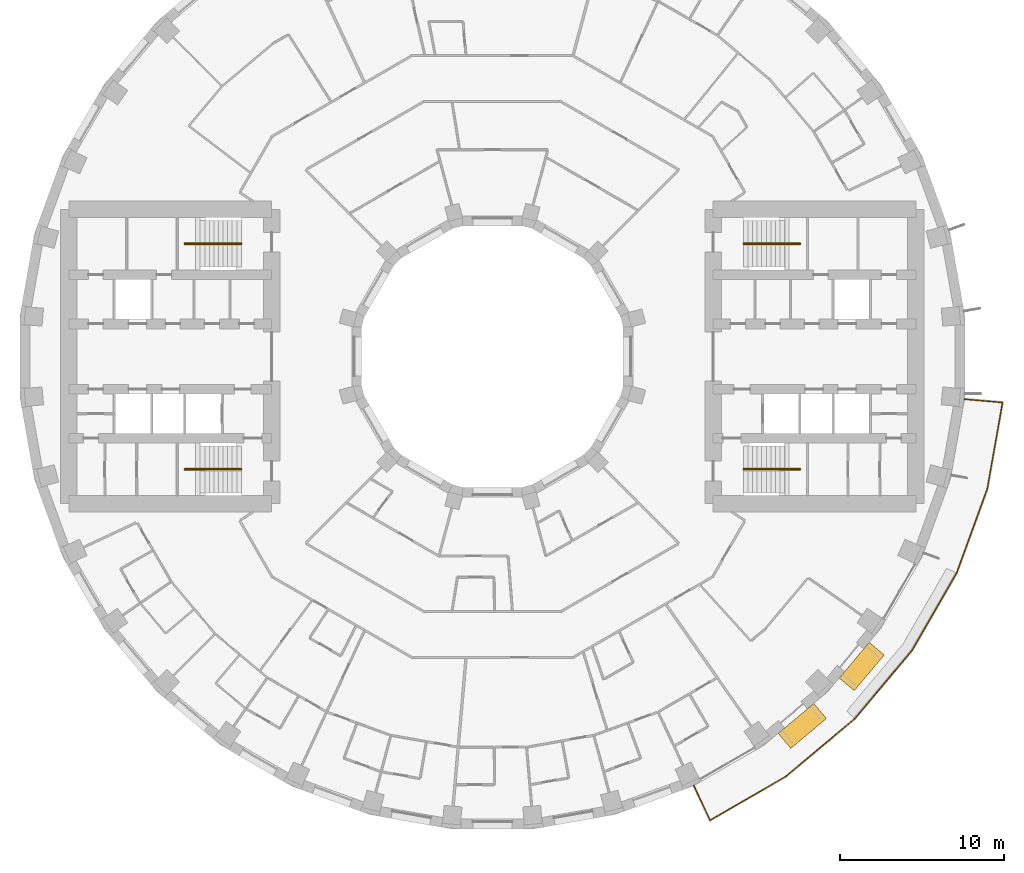
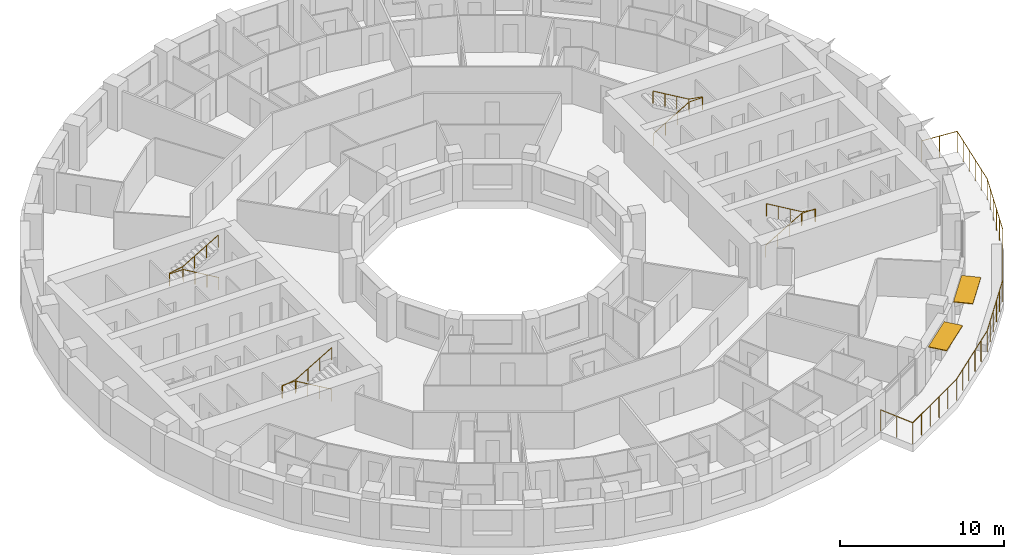
# One storey, part 15 of 15: 5 railings, 2 shading devices.
"""IFC4 building model written with IfcOpenShell, lengths in metres."""

from ifc_helpers import new_model, si_unit, direction, frame, origin, origin_2d, place, context, subcontext, project, spatial, rectangle, circle, extrude, material, layer, layer_set, type_object, element, save


model = new_model("IFC4")

# Units and contexts
model_context = context("Model", 3, precision=1e-05, world=origin(), true_north=direction((0.0, 1.0)))
body_context = subcontext(model_context, "Body", "Model", "MODEL_VIEW")
ifc_project = project(units=[si_unit("LENGTHUNIT", "METRE"), si_unit("AREAUNIT", "SQUARE_METRE"), si_unit("VOLUMEUNIT", "CUBIC_METRE"), si_unit("PLANEANGLEUNIT", "RADIAN"), si_unit("MASSUNIT", "GRAM", prefix="KILO")], contexts=[model_context])

# Site, building, storey
site_placement = place(None, origin())
site = spatial("IfcSite", under=ifc_project, at=site_placement, CompositionType="ELEMENT")
building_placement = place(site_placement, origin())
building = spatial("IfcBuilding", under=site, at=building_placement, Name="Saqina Gate Tower", CompositionType="ELEMENT")
storey_placement = place(building_placement, frame((0.0, 0.0, 42.800048828125)))
storey = spatial("IfcBuildingStorey", under=building, at=storey_placement, Name="L11", CompositionType="ELEMENT", Elevation=42.800048828125)

# Shading devices
ifc_material_1 = material(Name="Aluminium and fabric awning", Category="aluminium")
ifc_layer = layer(ifc_material_1, 0.050048828125)
ifc_layer_set = layer_set([ifc_layer], Name="AW-TERRACE")
shading_device_type = type_object("IfcShadingDeviceType", Name="AW-TERRACE", PredefinedType="AWNING", material=ifc_layer_set)
for number, where, z_axis, x_axis, name in (
    (1, (18.95556640625, -22.59033203125, 2.52490234375), (0.0, 0.0, 1.0), (0.766044443119, 0.642787609687, 0.0), "Terrace awning L11 facet 31"),
    (2, (22.59033203125, -18.95556640625, 2.52490234375), (0.0, 0.0, 1.0), (0.642787609687, 0.766044443119, 0.0), "Terrace awning L11 facet 32"),
):
    element("IfcShadingDevice", number, at=place(storey_placement, frame(where, z_axis=z_axis, x_axis=x_axis)), inside=storey, type_object=shading_device_type, Name=name, PredefinedType="AWNING", context=body_context, shape_type="SweptSolid", body=[
        extrude(rectangle(XDim=2.845703125, YDim=1.199951171875, at=origin_2d()), origin(), (0.0, 0.0, 1.0), 0.050048828125),
    ])

# Railings
ifc_material_2 = material(Name="Stainless steel", Category="steel")
railing_type_1 = type_object("IfcRailingType", Name="RL-TERRACE", PredefinedType="GUARDRAIL", material=ifc_material_2)
railing_1_placement = place(storey_placement, frame((12.302978515625, -26.194580078125, 0.0)))
element("IfcRailing", 3, at=railing_1_placement, inside=storey, type_object=railing_type_1, Name="Terrace guard L11", PredefinedType="GUARDRAIL", context=body_context, shape_type="SweptSolid", body=[
    extrude(circle(Radius=0.02392578125, at=origin_2d()), frame((0.0, 0.0, 1.576171875), z_axis=(0.422644901044, -0.906295364449, 0.0), x_axis=(0.906295364449, 0.422644901044, 0.0)), (0.0, 0.0, 1.0), 2.38916015625),
    extrude(circle(Radius=0.02392578125, at=origin_2d()), frame((1.009765625, -2.165283203125, 1.576171875), z_axis=(0.8653641556, 0.50114357045, 0.0), x_axis=(-0.50114357045, 0.8653641556, 0.0)), (0.0, 0.0, 1.0), 5.38134765625),
    extrude(circle(Radius=0.02392578125, at=origin_2d()), frame((5.66650390625, 0.531494140625, 1.576171875), z_axis=(0.766043830705, 0.642788339532, 0.0), x_axis=(-0.642788339532, 0.766043830705, 0.0)), (0.0, 0.0, 1.0), 5.4609375),
    extrude(circle(Radius=0.02392578125, at=origin_2d()), frame((9.849853515625, 4.041748046875, 1.576171875), z_axis=(0.642788339532, 0.766043830705, 0.0), x_axis=(-0.766043830705, 0.642788339532, 0.0)), (0.0, 0.0, 1.0), 5.4609375),
    extrude(circle(Radius=0.02392578125, at=origin_2d()), frame((13.360107421875, 8.22509765625, 1.576171875), z_axis=(0.499985602051, 0.866033716285, 0.0), x_axis=(-0.866033716285, 0.499985602051, 0.0)), (0.0, 0.0, 1.0), 5.461181640625),
    extrude(circle(Radius=0.02392578125, at=origin_2d()), frame((16.090576171875, 12.95458984375, 1.576171875), z_axis=(0.342048157644, 0.939682423935, 0.0), x_axis=(-0.939682423935, 0.342048157644, 0.0)), (0.0, 0.0, 1.0), 5.4609375),
    extrude(circle(Radius=0.02392578125, at=origin_2d()), frame((17.95849609375, 18.086181640625, 1.576171875), z_axis=(0.174903346333, 0.98458560798, 0.0), x_axis=(-0.98458560798, 0.174903346333, 0.0)), (0.0, 0.0, 1.0), 5.381103515625),
    extrude(circle(Radius=0.02392578125, at=origin_2d()), frame((18.899658203125, 23.38427734375, 1.576171875), z_axis=(-0.996192497087, 0.087180896688, 0.0), x_axis=(-0.087180896688, -0.996192497087, 0.0)), (0.0, 0.0, 1.0), 2.388671875),
    extrude(circle(Radius=0.02099609375, at=origin_2d()), origin(), (0.0, 0.0, 1.0), 1.552001953125),
    extrude(circle(Radius=0.02099609375, at=origin_2d()), frame((0.5048828125, -1.08251953125, 0.0)), (0.0, 0.0, 1.0), 1.552001953125),
    extrude(circle(Radius=0.02099609375, at=origin_2d()), frame((1.009765625, -2.165283203125, 0.0)), (0.0, 0.0, 1.0), 1.552001953125),
    extrude(circle(Radius=0.02099609375, at=origin_2d()), frame((1.941162109375, -1.6259765625, 0.0)), (0.0, 0.0, 1.0), 1.552001953125),
    extrude(circle(Radius=0.02099609375, at=origin_2d()), frame((2.87255859375, -1.086669921875, 0.0)), (0.0, 0.0, 1.0), 1.552001953125),
    extrude(circle(Radius=0.02099609375, at=origin_2d()), frame((3.8037109375, -0.547119140625, 0.0)), (0.0, 0.0, 1.0), 1.552001953125),
    extrude(circle(Radius=0.02099609375, at=origin_2d()), frame((4.735107421875, -0.0078125, 0.0)), (0.0, 0.0, 1.0), 1.552001953125),
    extrude(circle(Radius=0.02099609375, at=origin_2d()), frame((5.66650390625, 0.531494140625, 0.0)), (0.0, 0.0, 1.0), 1.552001953125),
    extrude(circle(Radius=0.02099609375, at=origin_2d()), frame((6.503173828125, 1.233642578125, 0.0)), (0.0, 0.0, 1.0), 1.552001953125),
    extrude(circle(Radius=0.02099609375, at=origin_2d()), frame((7.33984375, 1.935546875, 0.0)), (0.0, 0.0, 1.0), 1.552001953125),
    extrude(circle(Radius=0.02099609375, at=origin_2d()), frame((8.176513671875, 2.6376953125, 0.0)), (0.0, 0.0, 1.0), 1.552001953125),
    extrude(circle(Radius=0.02099609375, at=origin_2d()), frame((9.01318359375, 3.339599609375, 0.0)), (0.0, 0.0, 1.0), 1.552001953125),
    extrude(circle(Radius=0.02099609375, at=origin_2d()), frame((9.849853515625, 4.041748046875, 0.0)), (0.0, 0.0, 1.0), 1.552001953125),
    extrude(circle(Radius=0.02099609375, at=origin_2d()), frame((10.552001953125, 4.87841796875, 0.0)), (0.0, 0.0, 1.0), 1.552001953125),
    extrude(circle(Radius=0.02099609375, at=origin_2d()), frame((11.25390625, 5.715087890625, 0.0)), (0.0, 0.0, 1.0), 1.552001953125),
    extrude(circle(Radius=0.02099609375, at=origin_2d()), frame((11.9560546875, 6.5517578125, 0.0)), (0.0, 0.0, 1.0), 1.552001953125),
    extrude(circle(Radius=0.02099609375, at=origin_2d()), frame((12.657958984375, 7.388427734375, 0.0)), (0.0, 0.0, 1.0), 1.552001953125),
    extrude(circle(Radius=0.02099609375, at=origin_2d()), frame((13.360107421875, 8.22509765625, 0.0)), (0.0, 0.0, 1.0), 1.552001953125),
    extrude(circle(Radius=0.02099609375, at=origin_2d()), frame((13.90625, 9.1708984375, 0.0)), (0.0, 0.0, 1.0), 1.552001953125),
    extrude(circle(Radius=0.02099609375, at=origin_2d()), frame((14.452392578125, 10.116943359375, 0.0)), (0.0, 0.0, 1.0), 1.552001953125),
    extrude(circle(Radius=0.02099609375, at=origin_2d()), frame((14.998291015625, 11.062744140625, 0.0)), (0.0, 0.0, 1.0), 1.552001953125),
    extrude(circle(Radius=0.02099609375, at=origin_2d()), frame((15.54443359375, 12.0087890625, 0.0)), (0.0, 0.0, 1.0), 1.552001953125),
    extrude(circle(Radius=0.02099609375, at=origin_2d()), frame((16.090576171875, 12.95458984375, 0.0)), (0.0, 0.0, 1.0), 1.552001953125),
    extrude(circle(Radius=0.02099609375, at=origin_2d()), frame((16.464111328125, 13.98095703125, 0.0)), (0.0, 0.0, 1.0), 1.552001953125),
    extrude(circle(Radius=0.02099609375, at=origin_2d()), frame((16.837646484375, 15.00732421875, 0.0)), (0.0, 0.0, 1.0), 1.552001953125),
    extrude(circle(Radius=0.02099609375, at=origin_2d()), frame((17.21142578125, 16.033447265625, 0.0)), (0.0, 0.0, 1.0), 1.552001953125),
    extrude(circle(Radius=0.02099609375, at=origin_2d()), frame((17.5849609375, 17.059814453125, 0.0)), (0.0, 0.0, 1.0), 1.552001953125),
    extrude(circle(Radius=0.02099609375, at=origin_2d()), frame((17.95849609375, 18.086181640625, 0.0)), (0.0, 0.0, 1.0), 1.552001953125),
    extrude(circle(Radius=0.02099609375, at=origin_2d()), frame((18.146728515625, 19.145751953125, 0.0)), (0.0, 0.0, 1.0), 1.552001953125),
    extrude(circle(Radius=0.02099609375, at=origin_2d()), frame((18.3349609375, 20.205322265625, 0.0)), (0.0, 0.0, 1.0), 1.552001953125),
    extrude(circle(Radius=0.02099609375, at=origin_2d()), frame((18.523193359375, 21.26513671875, 0.0)), (0.0, 0.0, 1.0), 1.552001953125),
    extrude(circle(Radius=0.02099609375, at=origin_2d()), frame((18.71142578125, 22.32470703125, 0.0)), (0.0, 0.0, 1.0), 1.552001953125),
    extrude(circle(Radius=0.02099609375, at=origin_2d()), frame((18.899658203125, 23.38427734375, 0.0)), (0.0, 0.0, 1.0), 1.552001953125),
    extrude(circle(Radius=0.02099609375, at=origin_2d()), frame((17.7099609375, 23.48828125, 0.0)), (0.0, 0.0, 1.0), 1.552001953125),
    extrude(circle(Radius=0.02099609375, at=origin_2d()), frame((16.52001953125, 23.592529296875, 0.0)), (0.0, 0.0, 1.0), 1.552001953125),
])
ifc_material_3 = material(Name="Stainless steel", Category="steel")
railing_type_2 = type_object("IfcRailingType", Name="STAIR HANDRAIL", PredefinedType="HANDRAIL", material=ifc_material_3)
railing_2_placement = place(storey_placement, frame((15.35009765625, 6.86669921875, 0.1650390625)))
element("IfcRailing", 4, at=railing_2_placement, inside=storey, type_object=railing_type_2, Name="EXIT STAIR 1 HANDRAIL", PredefinedType="HANDRAIL", context=body_context, shape_type="SweptSolid", body=[
    extrude(circle(Radius=0.02392578125, at=origin_2d()), frame((0.0, 0.0, 0.92578125), z_axis=(0.861560626758, 0.0, 0.507654692109), x_axis=(0.0, 1.0, 0.0)), (0.0, 0.0, 1.0), 2.925048828125),
    extrude(circle(Radius=0.02392578125, at=origin_2d()), frame((2.52001953125, 0.0, 2.41064453125), z_axis=(1.0, 0.0, 0.0), x_axis=(0.0, 1.0, 0.0)), (0.0, 0.0, 1.0), 0.949951171875),
    extrude(circle(Radius=0.02392578125, at=origin_2d()), frame((3.469970703125, 0.0, 2.41064453125), z_axis=(0.0, 1.0, 0.0), x_axis=(-1.0, 0.0, 0.0)), (0.0, 0.0, 1.0), 0.066650390625),
    extrude(circle(Radius=0.02392578125, at=origin_2d()), frame((3.469970703125, 0.066650390625, 2.41064453125), z_axis=(-0.985241474778, 0.0, 0.171170197109), x_axis=(0.0, -1.0, 0.0)), (0.0, 0.0, 1.0), 0.964111328125),
    extrude(circle(Radius=0.02392578125, at=origin_2d()), frame((2.52001953125, 0.066650390625, 2.57568359375), z_axis=(-0.86152411907, 0.0, 0.507716645641), x_axis=(0.0, -1.0, 0.0)), (0.0, 0.0, 1.0), 2.925048828125),
    extrude(circle(Radius=0.02099609375, at=origin_2d()), origin(), (0.0, 0.0, 1.0), 0.90185546875),
    extrude(circle(Radius=0.02099609375, at=origin_2d()), frame((0.840087890625, 0.0, 0.494873046875)), (0.0, 0.0, 1.0), 0.90185546875),
    extrude(circle(Radius=0.02099609375, at=origin_2d()), frame((1.679931640625, 0.0, 0.989990234375)), (0.0, 0.0, 1.0), 0.90185546875),
    extrude(circle(Radius=0.02099609375, at=origin_2d()), frame((2.52001953125, 0.0, 1.48486328125)), (0.0, 0.0, 1.0), 0.90185546875),
    extrude(circle(Radius=0.02099609375, at=origin_2d()), frame((3.469970703125, 0.0, 1.48486328125)), (0.0, 0.0, 1.0), 0.90185546875),
    extrude(circle(Radius=0.02099609375, at=origin_2d()), frame((3.469970703125, 0.066650390625, 1.48486328125)), (0.0, 0.0, 1.0), 0.90185546875),
    extrude(circle(Radius=0.02099609375, at=origin_2d()), frame((2.52001953125, 0.066650390625, 1.64990234375)), (0.0, 0.0, 1.0), 0.90185546875),
    extrude(circle(Radius=0.02099609375, at=origin_2d()), frame((1.679931640625, 0.066650390625, 2.14501953125)), (0.0, 0.0, 1.0), 0.90185546875),
    extrude(circle(Radius=0.02099609375, at=origin_2d()), frame((0.840087890625, 0.066650390625, 2.639892578125)), (0.0, 0.0, 1.0), 0.90185546875),
    extrude(circle(Radius=0.02099609375, at=origin_2d()), frame((0.0, 0.066650390625, 3.135009765625)), (0.0, 0.0, 1.0), 0.90185546875),
])
railing_3_placement = place(storey_placement, frame((15.35009765625, -6.86669921875, 0.1650390625)))
element("IfcRailing", 5, at=railing_3_placement, inside=storey, type_object=railing_type_2, Name="EXIT STAIR 2 HANDRAIL", PredefinedType="HANDRAIL", context=body_context, shape_type="SweptSolid", body=[
    extrude(circle(Radius=0.02392578125, at=origin_2d()), frame((0.0, 0.0, 0.92578125), z_axis=(0.861560626758, 0.0, 0.507654692109), x_axis=(0.0, 1.0, 0.0)), (0.0, 0.0, 1.0), 2.925048828125),
    extrude(circle(Radius=0.02392578125, at=origin_2d()), frame((2.52001953125, 0.0, 2.41064453125), z_axis=(1.0, 0.0, 0.0), x_axis=(0.0, 1.0, 0.0)), (0.0, 0.0, 1.0), 0.949951171875),
    extrude(circle(Radius=0.02392578125, at=origin_2d()), frame((3.469970703125, 0.0, 2.41064453125), z_axis=(0.0, -1.0, 0.0), x_axis=(1.0, 0.0, 0.0)), (0.0, 0.0, 1.0), 0.066650390625),
    extrude(circle(Radius=0.02392578125, at=origin_2d()), frame((3.469970703125, -0.066650390625, 2.41064453125), z_axis=(-0.985241474778, 0.0, 0.171170197109), x_axis=(0.0, -1.0, 0.0)), (0.0, 0.0, 1.0), 0.964111328125),
    extrude(circle(Radius=0.02392578125, at=origin_2d()), frame((2.52001953125, -0.066650390625, 2.57568359375), z_axis=(-0.86152411907, 0.0, 0.507716645641), x_axis=(0.0, -1.0, 0.0)), (0.0, 0.0, 1.0), 2.925048828125),
    extrude(circle(Radius=0.02099609375, at=origin_2d()), origin(), (0.0, 0.0, 1.0), 0.90185546875),
    extrude(circle(Radius=0.02099609375, at=origin_2d()), frame((0.840087890625, 0.0, 0.494873046875)), (0.0, 0.0, 1.0), 0.90185546875),
    extrude(circle(Radius=0.02099609375, at=origin_2d()), frame((1.679931640625, 0.0, 0.989990234375)), (0.0, 0.0, 1.0), 0.90185546875),
    extrude(circle(Radius=0.02099609375, at=origin_2d()), frame((2.52001953125, 0.0, 1.48486328125)), (0.0, 0.0, 1.0), 0.90185546875),
    extrude(circle(Radius=0.02099609375, at=origin_2d()), frame((3.469970703125, 0.0, 1.48486328125)), (0.0, 0.0, 1.0), 0.90185546875),
    extrude(circle(Radius=0.02099609375, at=origin_2d()), frame((3.469970703125, -0.066650390625, 1.48486328125)), (0.0, 0.0, 1.0), 0.90185546875),
    extrude(circle(Radius=0.02099609375, at=origin_2d()), frame((2.52001953125, -0.066650390625, 1.64990234375)), (0.0, 0.0, 1.0), 0.90185546875),
    extrude(circle(Radius=0.02099609375, at=origin_2d()), frame((1.679931640625, -0.066650390625, 2.14501953125)), (0.0, 0.0, 1.0), 0.90185546875),
    extrude(circle(Radius=0.02099609375, at=origin_2d()), frame((0.840087890625, -0.066650390625, 2.639892578125)), (0.0, 0.0, 1.0), 0.90185546875),
    extrude(circle(Radius=0.02099609375, at=origin_2d()), frame((0.0, -0.066650390625, 3.135009765625)), (0.0, 0.0, 1.0), 0.90185546875),
])
railing_4_placement = place(storey_placement, frame((-15.35009765625, 6.86669921875, 0.1650390625)))
element("IfcRailing", 6, at=railing_4_placement, inside=storey, type_object=railing_type_2, Name="EXIT STAIR 3 HANDRAIL", PredefinedType="HANDRAIL", context=body_context, shape_type="SweptSolid", body=[
    extrude(circle(Radius=0.02392578125, at=origin_2d()), frame((0.0, 0.0, 0.92578125), z_axis=(-0.861560626758, 0.0, 0.507654692109), x_axis=(0.0, -1.0, 0.0)), (0.0, 0.0, 1.0), 2.925048828125),
    extrude(circle(Radius=0.02392578125, at=origin_2d()), frame((-2.52001953125, 0.0, 2.41064453125), z_axis=(-1.0, 0.0, 0.0), x_axis=(0.0, -1.0, 0.0)), (0.0, 0.0, 1.0), 0.949951171875),
    extrude(circle(Radius=0.02392578125, at=origin_2d()), frame((-3.469970703125, 0.0, 2.41064453125), z_axis=(0.0, 1.0, 0.0), x_axis=(-1.0, 0.0, 0.0)), (0.0, 0.0, 1.0), 0.066650390625),
    extrude(circle(Radius=0.02392578125, at=origin_2d()), frame((-3.469970703125, 0.066650390625, 2.41064453125), z_axis=(0.985241474778, 0.0, 0.171170197109), x_axis=(0.0, 1.0, 0.0)), (0.0, 0.0, 1.0), 0.964111328125),
    extrude(circle(Radius=0.02392578125, at=origin_2d()), frame((-2.52001953125, 0.066650390625, 2.57568359375), z_axis=(0.86152411907, 0.0, 0.507716645641), x_axis=(0.0, 1.0, 0.0)), (0.0, 0.0, 1.0), 2.925048828125),
    extrude(circle(Radius=0.02099609375, at=origin_2d()), origin(), (0.0, 0.0, 1.0), 0.90185546875),
    extrude(circle(Radius=0.02099609375, at=origin_2d()), frame((-0.840087890625, 0.0, 0.494873046875)), (0.0, 0.0, 1.0), 0.90185546875),
    extrude(circle(Radius=0.02099609375, at=origin_2d()), frame((-1.679931640625, 0.0, 0.989990234375)), (0.0, 0.0, 1.0), 0.90185546875),
    extrude(circle(Radius=0.02099609375, at=origin_2d()), frame((-2.52001953125, 0.0, 1.48486328125)), (0.0, 0.0, 1.0), 0.90185546875),
    extrude(circle(Radius=0.02099609375, at=origin_2d()), frame((-3.469970703125, 0.0, 1.48486328125)), (0.0, 0.0, 1.0), 0.90185546875),
    extrude(circle(Radius=0.02099609375, at=origin_2d()), frame((-3.469970703125, 0.066650390625, 1.48486328125)), (0.0, 0.0, 1.0), 0.90185546875),
    extrude(circle(Radius=0.02099609375, at=origin_2d()), frame((-2.52001953125, 0.066650390625, 1.64990234375)), (0.0, 0.0, 1.0), 0.90185546875),
    extrude(circle(Radius=0.02099609375, at=origin_2d()), frame((-1.679931640625, 0.066650390625, 2.14501953125)), (0.0, 0.0, 1.0), 0.90185546875),
    extrude(circle(Radius=0.02099609375, at=origin_2d()), frame((-0.840087890625, 0.066650390625, 2.639892578125)), (0.0, 0.0, 1.0), 0.90185546875),
    extrude(circle(Radius=0.02099609375, at=origin_2d()), frame((0.0, 0.066650390625, 3.135009765625)), (0.0, 0.0, 1.0), 0.90185546875),
])
railing_5_placement = place(storey_placement, frame((-15.35009765625, -6.86669921875, 0.1650390625)))
element("IfcRailing", 7, at=railing_5_placement, inside=storey, type_object=railing_type_2, Name="EXIT STAIR 4 HANDRAIL", PredefinedType="HANDRAIL", context=body_context, shape_type="SweptSolid", body=[
    extrude(circle(Radius=0.02392578125, at=origin_2d()), frame((0.0, 0.0, 0.92578125), z_axis=(-0.861560626758, 0.0, 0.507654692109), x_axis=(0.0, -1.0, 0.0)), (0.0, 0.0, 1.0), 2.925048828125),
    extrude(circle(Radius=0.02392578125, at=origin_2d()), frame((-2.52001953125, 0.0, 2.41064453125), z_axis=(-1.0, 0.0, 0.0), x_axis=(0.0, -1.0, 0.0)), (0.0, 0.0, 1.0), 0.949951171875),
    extrude(circle(Radius=0.02392578125, at=origin_2d()), frame((-3.469970703125, 0.0, 2.41064453125), z_axis=(0.0, -1.0, 0.0), x_axis=(1.0, 0.0, 0.0)), (0.0, 0.0, 1.0), 0.066650390625),
    extrude(circle(Radius=0.02392578125, at=origin_2d()), frame((-3.469970703125, -0.066650390625, 2.41064453125), z_axis=(0.985241474778, 0.0, 0.171170197109), x_axis=(0.0, 1.0, 0.0)), (0.0, 0.0, 1.0), 0.964111328125),
    extrude(circle(Radius=0.02392578125, at=origin_2d()), frame((-2.52001953125, -0.066650390625, 2.57568359375), z_axis=(0.86152411907, 0.0, 0.507716645641), x_axis=(0.0, 1.0, 0.0)), (0.0, 0.0, 1.0), 2.925048828125),
    extrude(circle(Radius=0.02099609375, at=origin_2d()), origin(), (0.0, 0.0, 1.0), 0.90185546875),
    extrude(circle(Radius=0.02099609375, at=origin_2d()), frame((-0.840087890625, 0.0, 0.494873046875)), (0.0, 0.0, 1.0), 0.90185546875),
    extrude(circle(Radius=0.02099609375, at=origin_2d()), frame((-1.679931640625, 0.0, 0.989990234375)), (0.0, 0.0, 1.0), 0.90185546875),
    extrude(circle(Radius=0.02099609375, at=origin_2d()), frame((-2.52001953125, 0.0, 1.48486328125)), (0.0, 0.0, 1.0), 0.90185546875),
    extrude(circle(Radius=0.02099609375, at=origin_2d()), frame((-3.469970703125, 0.0, 1.48486328125)), (0.0, 0.0, 1.0), 0.90185546875),
    extrude(circle(Radius=0.02099609375, at=origin_2d()), frame((-3.469970703125, -0.066650390625, 1.48486328125)), (0.0, 0.0, 1.0), 0.90185546875),
    extrude(circle(Radius=0.02099609375, at=origin_2d()), frame((-2.52001953125, -0.066650390625, 1.64990234375)), (0.0, 0.0, 1.0), 0.90185546875),
    extrude(circle(Radius=0.02099609375, at=origin_2d()), frame((-1.679931640625, -0.066650390625, 2.14501953125)), (0.0, 0.0, 1.0), 0.90185546875),
    extrude(circle(Radius=0.02099609375, at=origin_2d()), frame((-0.840087890625, -0.066650390625, 2.639892578125)), (0.0, 0.0, 1.0), 0.90185546875),
    extrude(circle(Radius=0.02099609375, at=origin_2d()), frame((0.0, -0.066650390625, 3.135009765625)), (0.0, 0.0, 1.0), 0.90185546875),
])

save(model, "model.ifc")
